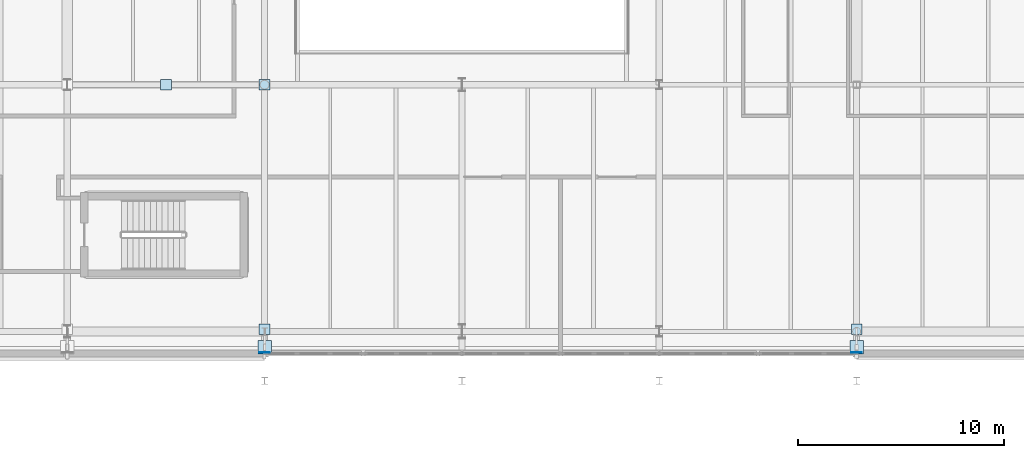
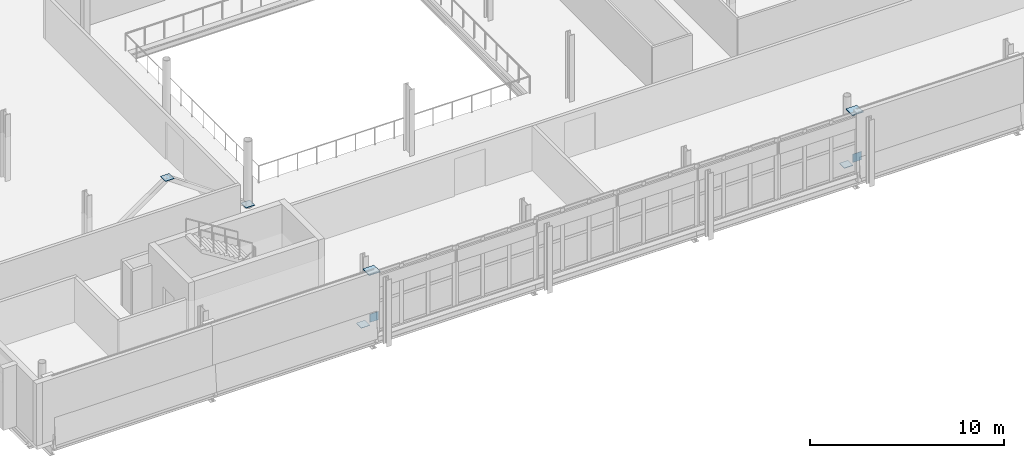
# One storey, part 35 of 57: 8 plates.
"""IFC4 building model written with IfcOpenShell, lengths in metres."""

from ifc_helpers import new_model, si_unit, direction, frame, origin, origin_2d, place, context, subcontext, project, spatial, rectangle, extrude, material, layer, layer_set, type_object, element, save


model = new_model("IFC4")

# Units and contexts
model_context = context("Model", 3, precision=1e-05, world=origin(), true_north=direction((0.0, 1.0)))
body_context = subcontext(model_context, "Body", "Model", "MODEL_VIEW")
ifc_project = project(units=[si_unit("LENGTHUNIT", "METRE"), si_unit("AREAUNIT", "SQUARE_METRE"), si_unit("VOLUMEUNIT", "CUBIC_METRE"), si_unit("PLANEANGLEUNIT", "RADIAN"), si_unit("MASSUNIT", "GRAM", prefix="KILO")], contexts=[model_context])

# Site, building, storey
site_placement = place(None, origin())
site = spatial("IfcSite", under=ifc_project, at=site_placement, CompositionType="ELEMENT")
building_placement = place(site_placement, origin())
building = spatial("IfcBuilding", under=site, at=building_placement, Name="Zereglee Splitstone Museum", CompositionType="ELEMENT")
storey_placement = place(building_placement, frame((0.0, 0.0, 17.10009765625)))
storey = spatial("IfcBuildingStorey", under=building, at=storey_placement, Name="L03", CompositionType="ELEMENT", Elevation=17.10009765625)

# Plates
ifc_material = material(Name="Steel S355J2", Category="steel")
ifc_layer_1 = layer(ifc_material, 0.030029296875)
ifc_layer_set_1 = layer_set([ifc_layer_1], Name="Steel S355J2")
plate_type_1 = type_object("IfcPlateType", Name="NP-04", PredefinedType="SHEET", material=ifc_layer_set_1)
for number, where, z_axis, x_axis, name in (
    (1, (97.199951171875, 21.60009765625, 0.10498046875), (0.0, 0.0, 1.0), (1.0, 0.0, 0.0), "CBF Brace Gusset Cap L03-008"),
    (2, (92.39990234375, 21.60009765625, 3.46484375), (0.0, 0.0, 1.0), (1.0, 0.0, 0.0), "CBF Brace Gusset Cap L03-008"),
    (3, (97.199951171875, 9.699951171875, -0.2548828125), (0.0, 0.0, 1.0), (1.0, 0.0, 0.0), "Facet Tie Seal Plate FH-V2SW"),
):
    element("IfcPlate", number, at=place(storey_placement, frame(where, z_axis=z_axis, x_axis=x_axis)), inside=storey, type_object=plate_type_1, Name=name, PredefinedType="SHEET", context=body_context, shape_type="SweptSolid", body=[
        extrude(rectangle(XDim=0.52001953125, YDim=0.52001953125, at=origin_2d()), origin(), (0.0, 0.0, 1.0), 0.030029296875),
    ])
plate_1_placement = place(storey_placement, frame((97.199951171875, 8.5703125, 0.659912109375), z_axis=(0.0, 0.0, 1.0), x_axis=(1.0, 0.0, 0.0)))
element("IfcPlate", 4, at=plate_1_placement, inside=storey, type_object=plate_type_1, Name="Facet Tie Seal Plate FH-V2SW", PredefinedType="SHEET", context=body_context, shape_type="SweptSolid", body=[
    extrude(rectangle(XDim=0.52001953125, YDim=0.030029296875, at=origin_2d()), origin(), (0.0, 0.0, 1.0), 0.52001953125),
])
plate_2_placement = place(storey_placement, frame((126.0, 9.699951171875, -0.2548828125), z_axis=(0.0, 0.0, 1.0), x_axis=(1.0, 0.0, 0.0)))
element("IfcPlate", 5, at=plate_2_placement, inside=storey, type_object=plate_type_1, Name="Facet Tie Seal Plate FH-V2SE", PredefinedType="SHEET", context=body_context, shape_type="SweptSolid", body=[
    extrude(rectangle(XDim=0.52001953125, YDim=0.52001953125, at=origin_2d()), origin(), (0.0, 0.0, 1.0), 0.030029296875),
])
plate_3_placement = place(storey_placement, frame((126.0, 8.5703125, 0.659912109375), z_axis=(0.0, 0.0, 1.0), x_axis=(1.0, 0.0, 0.0)))
element("IfcPlate", 6, at=plate_3_placement, inside=storey, type_object=plate_type_1, Name="Facet Tie Seal Plate FH-V2SE", PredefinedType="SHEET", context=body_context, shape_type="SweptSolid", body=[
    extrude(rectangle(XDim=0.52001953125, YDim=0.030029296875, at=origin_2d()), origin(), (0.0, 0.0, 1.0), 0.52001953125),
])
ifc_layer_2 = layer(ifc_material, 0.050048828125)
ifc_layer_set_2 = layer_set([ifc_layer_2], Name="Steel S355J2")
plate_type_2 = type_object("IfcPlateType", Name="NP-02", PredefinedType="SHEET", material=ifc_layer_set_2)
for number, where, z_axis, x_axis, name in (
    (7, (97.199951171875, 8.8232421875, 3.6650390625), (0.0, 0.0, 1.0), (1.0, 0.0, 0.0), "Facet Strut Seal Plate FH-V2SW"),
    (8, (126.0, 8.8232421875, 3.6650390625), (0.0, 0.0, 1.0), (1.0, 0.0, 0.0), "Facet Strut Seal Plate FH-V2SE"),
):
    element("IfcPlate", number, at=place(storey_placement, frame(where, z_axis=z_axis, x_axis=x_axis)), inside=storey, type_object=plate_type_2, Name=name, PredefinedType="SHEET", context=body_context, shape_type="SweptSolid", body=[
        extrude(rectangle(XDim=0.659912109375, YDim=0.659912109375, at=origin_2d()), origin(), (0.0, 0.0, 1.0), 0.050048828125),
    ])

save(model, "model.ifc")
